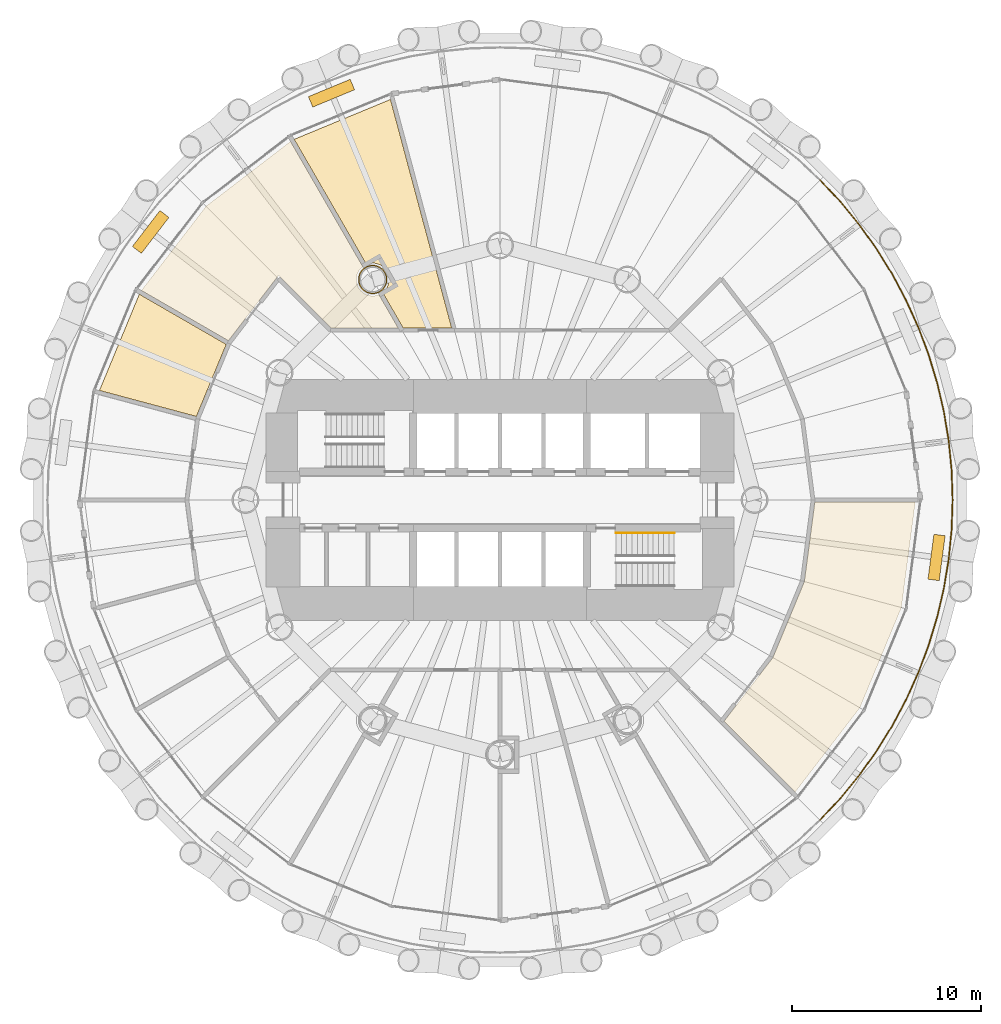
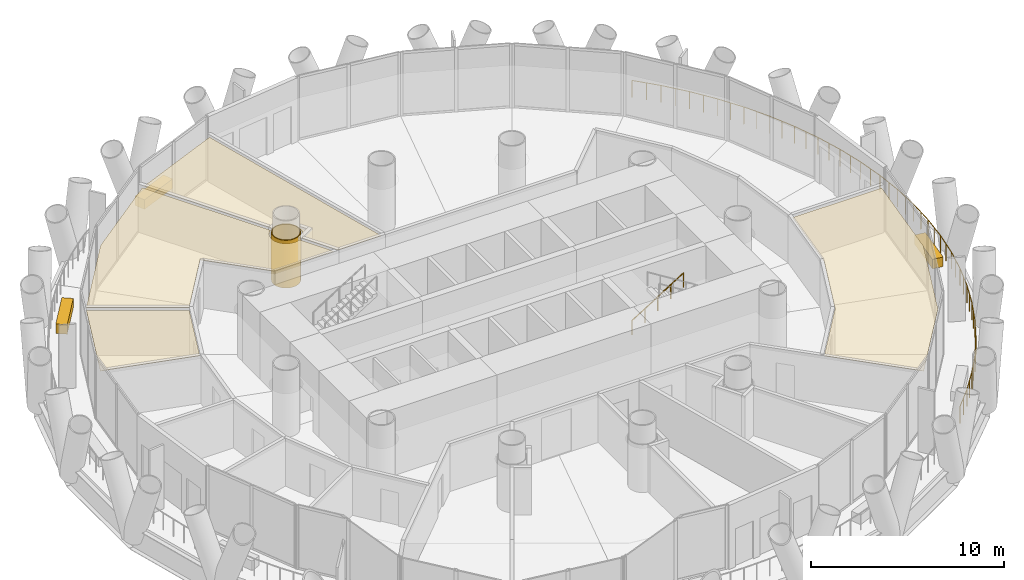
# One storey, part 14 of 15: 8 coverings, 2 railings.
"""IFC4 building model written with IfcOpenShell, lengths in metres."""

from ifc_helpers import new_model, si_unit, direction, frame, origin, origin_2d, place, context, subcontext, project, spatial, polyline, rectangle, circle, outline, extrude, material, layer, layer_set, type_object, element, save


model = new_model("IFC4")

# Units and contexts
model_context = context("Model", 3, precision=1e-05, world=origin(), true_north=direction((0.0, 1.0)))
body_context = subcontext(model_context, "Body", "Model", "MODEL_VIEW")
ifc_project = project(units=[si_unit("LENGTHUNIT", "METRE"), si_unit("AREAUNIT", "SQUARE_METRE"), si_unit("VOLUMEUNIT", "CUBIC_METRE"), si_unit("PLANEANGLEUNIT", "RADIAN"), si_unit("MASSUNIT", "GRAM", prefix="KILO")], contexts=[model_context])

# Site, building, storey
site_placement = place(None, origin())
site = spatial("IfcSite", under=ifc_project, at=site_placement, CompositionType="ELEMENT")
building_placement = place(site_placement, origin())
building = spatial("IfcBuilding", under=site, at=building_placement, Name="Qaws Media Tower", CompositionType="ELEMENT")
storey_placement = place(building_placement, frame((0.0, 0.0, 51.199951171875)))
storey = spatial("IfcBuildingStorey", under=building, at=storey_placement, Name="L10", CompositionType="ELEMENT", Elevation=51.199951171875)

# Covering
ifc_material_1 = material(Name="40 perforated acoustic panels with mineral wool backing, suspended", Category="mineral fibre")
ifc_layer_1 = layer(ifc_material_1, 0.0400390625)
ifc_layer_set_1 = layer_set([ifc_layer_1], Name="Acoustic panel ceiling 40")
covering_type_1 = type_object("IfcCoveringType", Name="Acoustic panel ceiling 40", PredefinedType="CEILING", material=ifc_layer_set_1)
covering_1_placement = place(storey_placement, frame((0.0, 0.0, 2.85009765625)))
element("IfcCovering", 1, at=covering_1_placement, inside=storey, type_object=covering_type_1, Name="CL3 ceiling L10-04 Colour grading room", PredefinedType="CEILING", context=body_context, shape_type="SweptSolid", body=[
    extrude(outline(polyline([(44.418701171875, 65.581298828125), (48.892333984375, 69.013916015625), (52.720703125, 62.383056640625), (52.634033203125, 62.30712890625), (52.55908203125, 62.2216796875), (52.49560546875, 62.126708984375), (52.4453125, 62.024658203125), (52.40869140625, 61.916748046875), (52.386474609375, 61.804931640625), (52.37890625, 61.69140625), (52.386474609375, 61.57763671875), (52.40869140625, 61.4658203125), (52.4453125, 61.35791015625), (52.49560546875, 61.255859375), (52.55908203125, 61.1611328125), (52.634033203125, 61.075439453125), (52.7197265625, 61.000244140625), (52.814453125, 60.93701171875), (52.916748046875, 60.88671875), (53.024658203125, 60.85009765625), (53.13623046875, 60.827880859375), (53.25, 60.8203125), (53.36376953125, 60.827880859375), (53.475341796875, 60.85009765625), (53.58447265625, 60.88720703125), (54.60888671875, 59.112548828125), (51.046630859375, 59.112548828125), (48.2509765625, 61.908203125), (45.5947265625, 58.44677734375), (40.986083984375, 61.107666015625), (44.418701171875, 65.581298828125)])), origin(), (0.0, 0.0, 1.0), 0.0400390625),
])

# Railing
ifc_material_2 = material(Name="Stainless steel and glass guard", Category="steel")
railing_type_1 = type_object("IfcRailingType", Name="Balcony guard 1100", PredefinedType="GUARDRAIL", material=ifc_material_2)
railing_1_placement = place(storey_placement, frame((76.970458984375, 33.029541015625, 0.0)))
element("IfcRailing", 2, at=railing_1_placement, inside=storey, type_object=railing_type_1, Name="GR1 balcony guard L10-4", PredefinedType="GUARDRAIL", context=body_context, shape_type="SweptSolid", body=[
    extrude(circle(Radius=0.02392578125, at=origin_2d()), frame((0.0, 0.0, 1.076171875), z_axis=(0.683646341922, 0.729813455053, 0.0), x_axis=(-0.729813455053, 0.683646341922, 0.0)), (0.0, 0.0, 1.0), 1.570556640625),
    extrude(circle(Radius=0.02392578125, at=origin_2d()), frame((1.07373046875, 1.146240234375, 1.076171875), z_axis=(0.63444763195, 0.77296584809, 0.0), x_axis=(-0.77296584809, 0.63444763195, 0.0)), (0.0, 0.0, 1.0), 1.5703125),
    extrude(circle(Radius=0.02392578125, at=origin_2d()), frame((2.070068359375, 2.360107421875, 1.076171875), z_axis=(0.582472724726, 0.812850247555, 0.0), x_axis=(-0.812850247555, 0.582472724726, 0.0)), (0.0, 0.0, 1.0), 1.570556640625),
    extrude(circle(Radius=0.02392578125, at=origin_2d()), frame((2.98486328125, 3.63671875, 1.076171875), z_axis=(0.528055328802, 0.849209967984, 0.0), x_axis=(-0.849209967984, 0.528055328802, 0.0)), (0.0, 0.0, 1.0), 1.570556640625),
    extrude(circle(Radius=0.02392578125, at=origin_2d()), frame((3.814208984375, 4.970458984375, 1.076171875), z_axis=(0.471362677406, 0.881939468642, 0.0), x_axis=(-0.881939468642, 0.471362677406, 0.0)), (0.0, 0.0, 1.0), 1.5703125),
    extrude(circle(Radius=0.02392578125, at=origin_2d()), frame((4.554443359375, 6.35546875, 1.076171875), z_axis=(0.412690076585, 0.910871506135, 0.0), x_axis=(-0.910871506135, 0.412690076585, 0.0)), (0.0, 0.0, 1.0), 1.570556640625),
    extrude(circle(Radius=0.02392578125, at=origin_2d()), frame((5.20263671875, 7.7861328125, 1.076171875), z_axis=(0.35228169997, 0.935894013159, 0.0), x_axis=(-0.935894013159, 0.35228169997, 0.0)), (0.0, 0.0, 1.0), 1.5703125),
    extrude(circle(Radius=0.02392578125, at=origin_2d()), frame((5.755859375, 9.255859375, 1.076171875), z_axis=(0.290227424961, 0.956957701155, 0.0), x_axis=(-0.956957701155, 0.290227424961, 0.0)), (0.0, 0.0, 1.0), 1.570556640625),
    extrude(circle(Radius=0.02392578125, at=origin_2d()), frame((6.211669921875, 10.7587890625, 1.076171875), z_axis=(0.227106763871, 0.973869866976, 0.0), x_axis=(-0.973869866976, 0.227106763871, 0.0)), (0.0, 0.0, 1.0), 1.570556640625),
    extrude(circle(Radius=0.02392578125, at=origin_2d()), frame((6.568359375, 12.288330078125, 1.076171875), z_axis=(0.162911522757, 0.98664068219, 0.0), x_axis=(-0.98664068219, 0.162911522757, 0.0)), (0.0, 0.0, 1.0), 1.570556640625),
    extrude(circle(Radius=0.02392578125, at=origin_2d()), frame((6.82421875, 13.837890625, 1.076171875), z_axis=(0.098087656745, 0.995177778889, 0.0), x_axis=(-0.995177778889, 0.098087656745, 0.0)), (0.0, 0.0, 1.0), 1.570556640625),
    extrude(circle(Radius=0.02392578125, at=origin_2d()), frame((6.978271484375, 15.40087890625, 1.076171875), z_axis=(0.03264707697, 0.999466942107, 0.0), x_axis=(-0.999466942107, 0.03264707697, 0.0)), (0.0, 0.0, 1.0), 1.5703125),
    extrude(circle(Radius=0.02392578125, at=origin_2d()), frame((7.029541015625, 16.970458984375, 1.076171875), z_axis=(-0.03264707697, 0.999466942107, 0.0), x_axis=(-0.999466942107, -0.03264707697, 0.0)), (0.0, 0.0, 1.0), 1.5703125),
    extrude(circle(Radius=0.02392578125, at=origin_2d()), frame((6.978271484375, 18.5400390625, 1.076171875), z_axis=(-0.098087656745, 0.995177778889, 0.0), x_axis=(-0.995177778889, -0.098087656745, 0.0)), (0.0, 0.0, 1.0), 1.570556640625),
    extrude(circle(Radius=0.02392578125, at=origin_2d()), frame((6.82421875, 20.10302734375, 1.076171875), z_axis=(-0.162911522757, 0.98664068219, 0.0), x_axis=(-0.98664068219, -0.162911522757, 0.0)), (0.0, 0.0, 1.0), 1.570556640625),
    extrude(circle(Radius=0.02392578125, at=origin_2d()), frame((6.568359375, 21.652587890625, 1.076171875), z_axis=(-0.227106763871, 0.973869866976, 0.0), x_axis=(-0.973869866976, -0.227106763871, 0.0)), (0.0, 0.0, 1.0), 1.570556640625),
    extrude(circle(Radius=0.02392578125, at=origin_2d()), frame((6.211669921875, 23.18212890625, 1.076171875), z_axis=(-0.290227424961, 0.956957701155, 0.0), x_axis=(-0.956957701155, -0.290227424961, 0.0)), (0.0, 0.0, 1.0), 1.570556640625),
    extrude(circle(Radius=0.02392578125, at=origin_2d()), frame((5.755859375, 24.68505859375, 1.076171875), z_axis=(-0.35228169997, 0.935894013159, 0.0), x_axis=(-0.935894013159, -0.35228169997, 0.0)), (0.0, 0.0, 1.0), 1.5703125),
    extrude(circle(Radius=0.02392578125, at=origin_2d()), frame((5.20263671875, 26.15478515625, 1.076171875), z_axis=(-0.412690076585, 0.910871506135, 0.0), x_axis=(-0.910871506135, -0.412690076585, 0.0)), (0.0, 0.0, 1.0), 1.570556640625),
    extrude(circle(Radius=0.02392578125, at=origin_2d()), frame((4.554443359375, 27.58544921875, 1.076171875), z_axis=(-0.471362677406, 0.881939468642, 0.0), x_axis=(-0.881939468642, -0.471362677406, 0.0)), (0.0, 0.0, 1.0), 1.5703125),
    extrude(circle(Radius=0.02392578125, at=origin_2d()), frame((3.814208984375, 28.970458984375, 1.076171875), z_axis=(-0.528055328802, 0.849209967984, 0.0), x_axis=(-0.849209967984, -0.528055328802, 0.0)), (0.0, 0.0, 1.0), 1.570556640625),
    extrude(circle(Radius=0.02392578125, at=origin_2d()), frame((2.98486328125, 30.30419921875, 1.076171875), z_axis=(-0.582472724726, 0.812850247555, 0.0), x_axis=(-0.812850247555, -0.582472724726, 0.0)), (0.0, 0.0, 1.0), 1.570556640625),
    extrude(circle(Radius=0.02392578125, at=origin_2d()), frame((2.070068359375, 31.580810546875, 1.076171875), z_axis=(-0.63444763195, 0.77296584809, 0.0), x_axis=(-0.77296584809, -0.63444763195, 0.0)), (0.0, 0.0, 1.0), 1.5703125),
    extrude(circle(Radius=0.02392578125, at=origin_2d()), frame((1.07373046875, 32.794677734375, 1.076171875), z_axis=(-0.683646341922, 0.729813455053, 0.0), x_axis=(-0.729813455053, -0.683646341922, 0.0)), (0.0, 0.0, 1.0), 1.570556640625),
    extrude(circle(Radius=0.02099609375, at=origin_2d()), origin(), (0.0, 0.0, 1.0), 1.052001953125),
    extrude(circle(Radius=0.02099609375, at=origin_2d()), frame((0.536865234375, 0.5732421875, 0.0)), (0.0, 0.0, 1.0), 1.052001953125),
    extrude(circle(Radius=0.02099609375, at=origin_2d()), frame((1.07373046875, 1.146240234375, 0.0)), (0.0, 0.0, 1.0), 1.052001953125),
    extrude(circle(Radius=0.02099609375, at=origin_2d()), frame((1.57177734375, 1.753173828125, 0.0)), (0.0, 0.0, 1.0), 1.052001953125),
    extrude(circle(Radius=0.02099609375, at=origin_2d()), frame((2.070068359375, 2.360107421875, 0.0)), (0.0, 0.0, 1.0), 1.052001953125),
    extrude(circle(Radius=0.02099609375, at=origin_2d()), frame((2.52734375, 2.99853515625, 0.0)), (0.0, 0.0, 1.0), 1.052001953125),
    extrude(circle(Radius=0.02099609375, at=origin_2d()), frame((2.98486328125, 3.63671875, 0.0)), (0.0, 0.0, 1.0), 1.052001953125),
    extrude(circle(Radius=0.02099609375, at=origin_2d()), frame((3.3994140625, 4.3037109375, 0.0)), (0.0, 0.0, 1.0), 1.052001953125),
    extrude(circle(Radius=0.02099609375, at=origin_2d()), frame((3.814208984375, 4.970458984375, 0.0)), (0.0, 0.0, 1.0), 1.052001953125),
    extrude(circle(Radius=0.02099609375, at=origin_2d()), frame((4.184326171875, 5.6630859375, 0.0)), (0.0, 0.0, 1.0), 1.052001953125),
    extrude(circle(Radius=0.02099609375, at=origin_2d()), frame((4.554443359375, 6.35546875, 0.0)), (0.0, 0.0, 1.0), 1.052001953125),
    extrude(circle(Radius=0.02099609375, at=origin_2d()), frame((4.87841796875, 7.07080078125, 0.0)), (0.0, 0.0, 1.0), 1.052001953125),
    extrude(circle(Radius=0.02099609375, at=origin_2d()), frame((5.20263671875, 7.7861328125, 0.0)), (0.0, 0.0, 1.0), 1.052001953125),
    extrude(circle(Radius=0.02099609375, at=origin_2d()), frame((5.479248046875, 8.52099609375, 0.0)), (0.0, 0.0, 1.0), 1.052001953125),
    extrude(circle(Radius=0.02099609375, at=origin_2d()), frame((5.755859375, 9.255859375, 0.0)), (0.0, 0.0, 1.0), 1.052001953125),
    extrude(circle(Radius=0.02099609375, at=origin_2d()), frame((5.98388671875, 10.00732421875, 0.0)), (0.0, 0.0, 1.0), 1.052001953125),
    extrude(circle(Radius=0.02099609375, at=origin_2d()), frame((6.211669921875, 10.7587890625, 0.0)), (0.0, 0.0, 1.0), 1.052001953125),
    extrude(circle(Radius=0.02099609375, at=origin_2d()), frame((6.39013671875, 11.5234375, 0.0)), (0.0, 0.0, 1.0), 1.052001953125),
    extrude(circle(Radius=0.02099609375, at=origin_2d()), frame((6.568359375, 12.288330078125, 0.0)), (0.0, 0.0, 1.0), 1.052001953125),
    extrude(circle(Radius=0.02099609375, at=origin_2d()), frame((6.6962890625, 13.06298828125, 0.0)), (0.0, 0.0, 1.0), 1.052001953125),
    extrude(circle(Radius=0.02099609375, at=origin_2d()), frame((6.82421875, 13.837890625, 0.0)), (0.0, 0.0, 1.0), 1.052001953125),
    extrude(circle(Radius=0.02099609375, at=origin_2d()), frame((6.9013671875, 14.619384765625, 0.0)), (0.0, 0.0, 1.0), 1.052001953125),
    extrude(circle(Radius=0.02099609375, at=origin_2d()), frame((6.978271484375, 15.40087890625, 0.0)), (0.0, 0.0, 1.0), 1.052001953125),
    extrude(circle(Radius=0.02099609375, at=origin_2d()), frame((7.00390625, 16.185546875, 0.0)), (0.0, 0.0, 1.0), 1.052001953125),
    extrude(circle(Radius=0.02099609375, at=origin_2d()), frame((7.029541015625, 16.970458984375, 0.0)), (0.0, 0.0, 1.0), 1.052001953125),
    extrude(circle(Radius=0.02099609375, at=origin_2d()), frame((7.00390625, 17.75537109375, 0.0)), (0.0, 0.0, 1.0), 1.052001953125),
    extrude(circle(Radius=0.02099609375, at=origin_2d()), frame((6.978271484375, 18.5400390625, 0.0)), (0.0, 0.0, 1.0), 1.052001953125),
    extrude(circle(Radius=0.02099609375, at=origin_2d()), frame((6.9013671875, 19.321533203125, 0.0)), (0.0, 0.0, 1.0), 1.052001953125),
    extrude(circle(Radius=0.02099609375, at=origin_2d()), frame((6.82421875, 20.10302734375, 0.0)), (0.0, 0.0, 1.0), 1.052001953125),
    extrude(circle(Radius=0.02099609375, at=origin_2d()), frame((6.6962890625, 20.8779296875, 0.0)), (0.0, 0.0, 1.0), 1.052001953125),
    extrude(circle(Radius=0.02099609375, at=origin_2d()), frame((6.568359375, 21.652587890625, 0.0)), (0.0, 0.0, 1.0), 1.052001953125),
    extrude(circle(Radius=0.02099609375, at=origin_2d()), frame((6.39013671875, 22.41748046875, 0.0)), (0.0, 0.0, 1.0), 1.052001953125),
    extrude(circle(Radius=0.02099609375, at=origin_2d()), frame((6.211669921875, 23.18212890625, 0.0)), (0.0, 0.0, 1.0), 1.052001953125),
    extrude(circle(Radius=0.02099609375, at=origin_2d()), frame((5.98388671875, 23.93359375, 0.0)), (0.0, 0.0, 1.0), 1.052001953125),
    extrude(circle(Radius=0.02099609375, at=origin_2d()), frame((5.755859375, 24.68505859375, 0.0)), (0.0, 0.0, 1.0), 1.052001953125),
    extrude(circle(Radius=0.02099609375, at=origin_2d()), frame((5.479248046875, 25.419921875, 0.0)), (0.0, 0.0, 1.0), 1.052001953125),
    extrude(circle(Radius=0.02099609375, at=origin_2d()), frame((5.20263671875, 26.15478515625, 0.0)), (0.0, 0.0, 1.0), 1.052001953125),
    extrude(circle(Radius=0.02099609375, at=origin_2d()), frame((4.87841796875, 26.8701171875, 0.0)), (0.0, 0.0, 1.0), 1.052001953125),
    extrude(circle(Radius=0.02099609375, at=origin_2d()), frame((4.554443359375, 27.58544921875, 0.0)), (0.0, 0.0, 1.0), 1.052001953125),
    extrude(circle(Radius=0.02099609375, at=origin_2d()), frame((4.184326171875, 28.27783203125, 0.0)), (0.0, 0.0, 1.0), 1.052001953125),
    extrude(circle(Radius=0.02099609375, at=origin_2d()), frame((3.814208984375, 28.970458984375, 0.0)), (0.0, 0.0, 1.0), 1.052001953125),
    extrude(circle(Radius=0.02099609375, at=origin_2d()), frame((3.3994140625, 29.63720703125, 0.0)), (0.0, 0.0, 1.0), 1.052001953125),
    extrude(circle(Radius=0.02099609375, at=origin_2d()), frame((2.98486328125, 30.30419921875, 0.0)), (0.0, 0.0, 1.0), 1.052001953125),
    extrude(circle(Radius=0.02099609375, at=origin_2d()), frame((2.52734375, 30.9423828125, 0.0)), (0.0, 0.0, 1.0), 1.052001953125),
    extrude(circle(Radius=0.02099609375, at=origin_2d()), frame((2.070068359375, 31.580810546875, 0.0)), (0.0, 0.0, 1.0), 1.052001953125),
    extrude(circle(Radius=0.02099609375, at=origin_2d()), frame((1.57177734375, 32.187744140625, 0.0)), (0.0, 0.0, 1.0), 1.052001953125),
    extrude(circle(Radius=0.02099609375, at=origin_2d()), frame((1.07373046875, 32.794677734375, 0.0)), (0.0, 0.0, 1.0), 1.052001953125),
    extrude(circle(Radius=0.02099609375, at=origin_2d()), frame((0.536865234375, 33.36767578125, 0.0)), (0.0, 0.0, 1.0), 1.052001953125),
    extrude(circle(Radius=0.02099609375, at=origin_2d()), frame((0.0, 33.94091796875, 0.0)), (0.0, 0.0, 1.0), 1.052001953125),
])

# Coverings
ifc_material_3 = material(Name="Two layers 15 fire-rated gypsum board on steel framing", Category="steel")
ifc_layer_2 = layer(ifc_material_3, 0.050048828125)
ifc_layer_set_2 = layer_set([ifc_layer_2], Name="Column fire casing")
covering_type_2 = type_object("IfcCoveringType", Name="Column fire casing", PredefinedType="CLADDING", material=ifc_layer_set_2)
covering_2_placement = place(storey_placement, origin())
element("IfcCovering", 3, at=covering_2_placement, inside=storey, type_object=covering_type_2, Name="CC1 column casing L10", PredefinedType="CLADDING", context=body_context, shape_type="SweptSolid", body=[
    extrude(outline(polyline([(54.01611328125, 61.69140625), (54.009521484375, 61.59130859375), (53.989990234375, 61.4931640625), (53.957763671875, 61.398193359375), (53.913330078125, 61.308349609375), (53.857666015625, 61.22509765625), (53.79150390625, 61.149658203125), (53.71630859375, 61.08349609375), (53.633056640625, 61.028076171875), (53.543212890625, 60.983642578125), (53.4482421875, 60.951416015625), (53.35009765625, 60.931884765625), (53.25, 60.92529296875), (53.14990234375, 60.931884765625), (53.0517578125, 60.951416015625), (52.956787109375, 60.983642578125), (52.866943359375, 61.028076171875), (52.78369140625, 61.08349609375), (52.70849609375, 61.149658203125), (52.642333984375, 61.22509765625), (52.586669921875, 61.308349609375), (52.542236328125, 61.398193359375), (52.510009765625, 61.4931640625), (52.490478515625, 61.59130859375), (52.48388671875, 61.69140625), (52.490478515625, 61.791259765625), (52.510009765625, 61.8896484375), (52.542236328125, 61.984619140625), (52.586669921875, 62.07421875), (52.642333984375, 62.15771484375), (52.70849609375, 62.23291015625), (52.78369140625, 62.299072265625), (52.866943359375, 62.354736328125), (52.956787109375, 62.39892578125), (53.0517578125, 62.43115234375), (53.14990234375, 62.45068359375), (53.25, 62.457275390625), (53.35009765625, 62.45068359375), (53.4482421875, 62.43115234375), (53.543212890625, 62.39892578125), (53.633056640625, 62.354736328125), (53.71630859375, 62.299072265625), (53.79150390625, 62.23291015625), (53.857666015625, 62.15771484375), (53.913330078125, 62.07421875), (53.957763671875, 61.984619140625), (53.989990234375, 61.8896484375), (54.009521484375, 61.791259765625), (54.01611328125, 61.69140625)]), holes=[polyline([(53.964111328125, 61.69140625), (53.9580078125, 61.59814453125), (53.939697265625, 61.506591796875), (53.90966796875, 61.418212890625), (53.868408203125, 61.334228515625), (53.81640625, 61.256591796875), (53.7548828125, 61.1865234375), (53.684814453125, 61.125), (53.60693359375, 61.072998046875), (53.523193359375, 61.03173828125), (53.434814453125, 61.001708984375), (53.34326171875, 60.9833984375), (53.25, 60.977294921875), (53.15673828125, 60.9833984375), (53.065185546875, 61.001708984375), (52.976806640625, 61.03173828125), (52.89306640625, 61.072998046875), (52.815185546875, 61.125), (52.7451171875, 61.1865234375), (52.68359375, 61.256591796875), (52.631591796875, 61.334228515625), (52.59033203125, 61.418212890625), (52.560302734375, 61.506591796875), (52.5419921875, 61.59814453125), (52.535888671875, 61.69140625), (52.5419921875, 61.784423828125), (52.560302734375, 61.876220703125), (52.59033203125, 61.964599609375), (52.631591796875, 62.04833984375), (52.68359375, 62.1259765625), (52.7451171875, 62.1962890625), (52.815185546875, 62.2578125), (52.89306640625, 62.309814453125), (52.976806640625, 62.35107421875), (53.065185546875, 62.381103515625), (53.15673828125, 62.399169921875), (53.25, 62.4052734375), (53.34326171875, 62.399169921875), (53.434814453125, 62.381103515625), (53.523193359375, 62.35107421875), (53.60693359375, 62.309814453125), (53.684814453125, 62.2578125), (53.7548828125, 62.1962890625), (53.81640625, 62.1259765625), (53.868408203125, 62.04833984375), (53.90966796875, 61.964599609375), (53.939697265625, 61.876220703125), (53.9580078125, 61.784423828125), (53.964111328125, 61.69140625)])]), origin(), (0.0, 0.0, 1.0), 3.02001953125),
])
ifc_material_4 = material(Name="600 x 600 mineral fibre tiles in exposed grid, suspended", Category="mineral fibre")
ifc_layer_3 = layer(ifc_material_4, 0.02001953125)
ifc_layer_set_3 = layer_set([ifc_layer_3], Name="Mineral fibre tile ceiling 20")
covering_type_3 = type_object("IfcCoveringType", Name="Mineral fibre tile ceiling 20", PredefinedType="CEILING", material=ifc_layer_set_3)
covering_3_placement = place(storey_placement, frame((0.0, 0.0, 2.85009765625)))
element("IfcCovering", 4, at=covering_3_placement, inside=storey, type_object=covering_type_3, Name="CL1 ceiling L10-05 Edit room", PredefinedType="CEILING", context=body_context, shape_type="SweptSolid", body=[
    extrude(outline(polyline([(40.87353515625, 60.912841796875), (45.482421875, 58.251953125), (43.8994140625, 54.4306640625), (38.759033203125, 55.80810546875), (40.87353515625, 60.912841796875)])), origin(), (0.0, 0.0, 1.0), 0.02001953125),
])
covering_4_placement = place(storey_placement, frame((0.0, 0.0, 2.85009765625)))
element("IfcCovering", 5, at=covering_4_placement, inside=storey, type_object=covering_type_3, Name="CL1 ceiling L10-15 Production office", PredefinedType="CEILING", context=body_context, shape_type="SweptSolid", body=[
    extrude(outline(polyline([(74.474365234375, 41.643310546875), (76.14404296875, 45.67431640625), (76.69873046875, 49.887451171875), (82.0205078125, 49.887451171875), (81.284423828125, 44.296875), (79.0830078125, 38.982421875), (75.650390625, 34.5087890625), (71.88720703125, 38.271728515625), (74.474365234375, 41.643310546875)])), origin(), (0.0, 0.0, 1.0), 0.02001953125),
])
ifc_material_5 = material(Name="Precast concrete planter with trailing planting", Category="concrete")
ifc_layer_4 = layer(ifc_material_5, 0.60009765625)
ifc_layer_set_4 = layer_set([ifc_layer_4], Name="Planter 2400x600")
covering_type_4 = type_object("IfcCoveringType", Name="Planter 2400x600", PredefinedType="USERDEFINED", material=ifc_layer_set_4)
for number, where, z_axis, x_axis, name in (
    (6, (51.064453125, 71.572509765625, 0.0), (0.0, 0.0, 1.0), (-0.923879532511, -0.382683432365, 0.0), "PL1 balcony planter L10-04"),
    (7, (41.47509765625, 64.214599609375, 0.0), (0.0, 0.0, 1.0), (-0.608761429009, -0.793353340291, 0.0), "PL1 balcony planter L10-05"),
    (8, (83.150146484375, 46.9521484375, 0.0), (0.0, 0.0, 1.0), (0.13052619222, 0.991444861374, 0.0), "PL1 balcony planter L10-12"),
):
    element("IfcCovering", number, at=place(storey_placement, frame(where, z_axis=z_axis, x_axis=x_axis)), inside=storey, type_object=covering_type_4, Name=name, ObjectType="PLANTER", PredefinedType="USERDEFINED", context=body_context, shape_type="SweptSolid", body=[
        extrude(rectangle(XDim=2.39990234375, YDim=0.60009765625, at=origin_2d()), origin(), (0.0, 0.0, 1.0), 0.60009765625),
    ])
ifc_material_6 = material(Name="Two layers 12.5 moisture-resistant plasterboard on suspended metal furring", Category="gypsum")
ifc_layer_5 = layer(ifc_material_6, 0.02490234375)
ifc_layer_set_5 = layer_set([ifc_layer_5], Name="Plasterboard ceiling 25")
covering_type_5 = type_object("IfcCoveringType", Name="Plasterboard ceiling 25", PredefinedType="CEILING", material=ifc_layer_set_5)
covering_5_placement = place(storey_placement, frame((0.0, 0.0, 2.85009765625)))
element("IfcCovering", 9, at=covering_5_placement, inside=storey, type_object=covering_type_5, Name="CL2 ceiling L10-03 Media asset room", PredefinedType="CEILING", context=body_context, shape_type="SweptSolid", body=[
    extrude(outline(polyline([(54.19189453125, 71.240966796875), (57.44189453125, 59.112548828125), (54.868896484375, 59.112548828125), (53.779296875, 60.999755859375), (53.865966796875, 61.075439453125), (53.94091796875, 61.1611328125), (54.00439453125, 61.255859375), (54.0546875, 61.35791015625), (54.09130859375, 61.4658203125), (54.113525390625, 61.57763671875), (54.12109375, 61.69140625), (54.113525390625, 61.804931640625), (54.09130859375, 61.916748046875), (54.0546875, 62.024658203125), (54.00439453125, 62.126708984375), (53.94091796875, 62.2216796875), (53.865966796875, 62.30712890625), (53.7802734375, 62.38232421875), (53.685546875, 62.44580078125), (53.583251953125, 62.49609375), (53.475341796875, 62.53271484375), (53.36376953125, 62.554931640625), (53.25, 62.562255859375), (53.13623046875, 62.554931640625), (53.024658203125, 62.53271484375), (52.91552734375, 62.49560546875), (49.087158203125, 69.12646484375), (54.19189453125, 71.240966796875)])), origin(), (0.0, 0.0, 1.0), 0.02490234375),
])

# Railing
ifc_material_7 = material(Name="Steel tube handrail", Category="steel")
railing_type_2 = type_object("IfcRailingType", Name="Stair handrail 900", PredefinedType="HANDRAIL", material=ifc_material_7)
railing_2_placement = place(storey_placement, frame((66.159912109375, 48.25, 0.175048828125)))
element("IfcRailing", 10, at=railing_2_placement, inside=storey, type_object=railing_type_2, Name="HR1 handrail S2 flight 1 L10", PredefinedType="HANDRAIL", context=body_context, shape_type="SweptSolid", body=[
    extrude(circle(Radius=0.02392578125, at=origin_2d()), frame((0.0, 0.0, 0.8759765625), z_axis=(0.847998304005, 0.0, 0.529998940003), x_axis=(0.0, 1.0, 0.0)), (0.0, 0.0, 1.0), 3.632080078125),
    extrude(circle(Radius=0.02099609375, at=origin_2d()), origin(), (0.0, 0.0, 1.0), 0.851806640625),
    extrude(circle(Radius=0.02099609375, at=origin_2d()), frame((0.77001953125, 0.0, 0.481201171875)), (0.0, 0.0, 1.0), 0.851806640625),
    extrude(circle(Radius=0.02099609375, at=origin_2d()), frame((1.5400390625, 0.0, 0.96240234375)), (0.0, 0.0, 1.0), 0.851806640625),
    extrude(circle(Radius=0.02099609375, at=origin_2d()), frame((2.31005859375, 0.0, 1.44384765625)), (0.0, 0.0, 1.0), 0.851806640625),
    extrude(circle(Radius=0.02099609375, at=origin_2d()), frame((3.080078125, 0.0, 1.925048828125)), (0.0, 0.0, 1.0), 0.851806640625),
])

save(model, "model.ifc")
